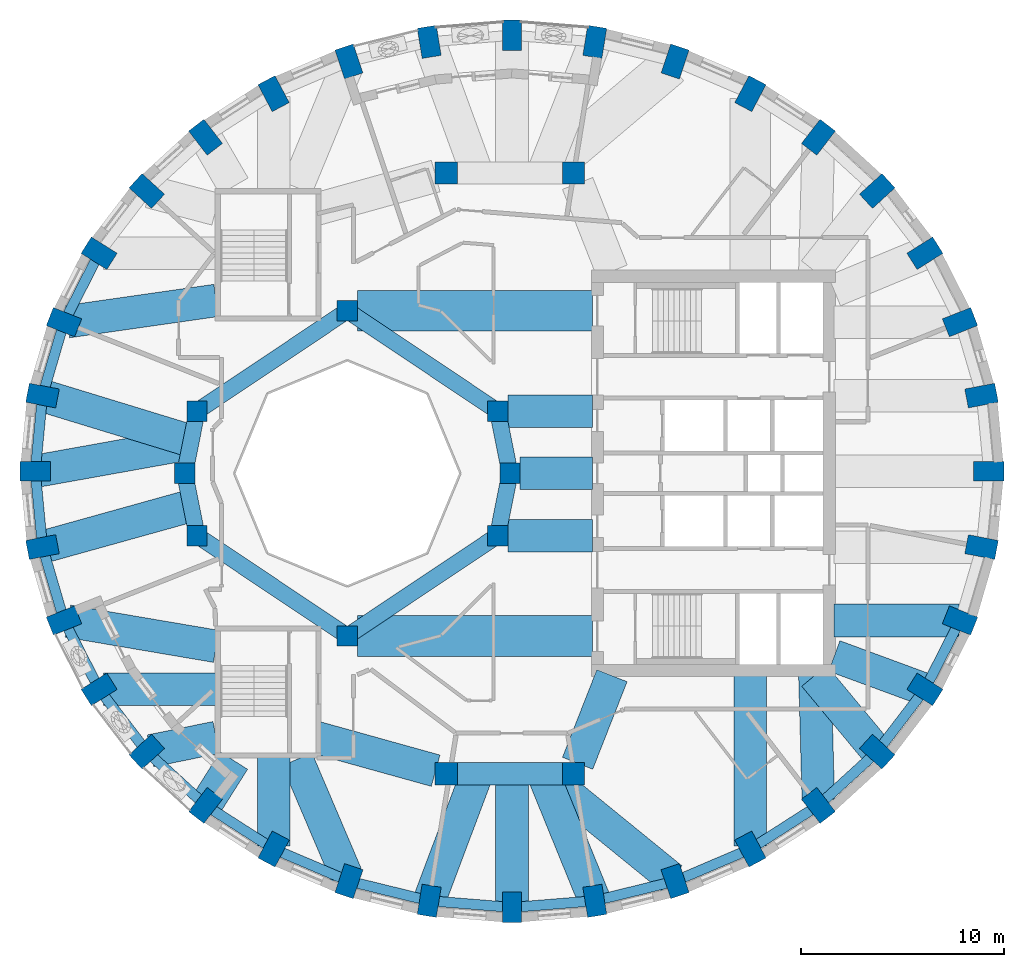
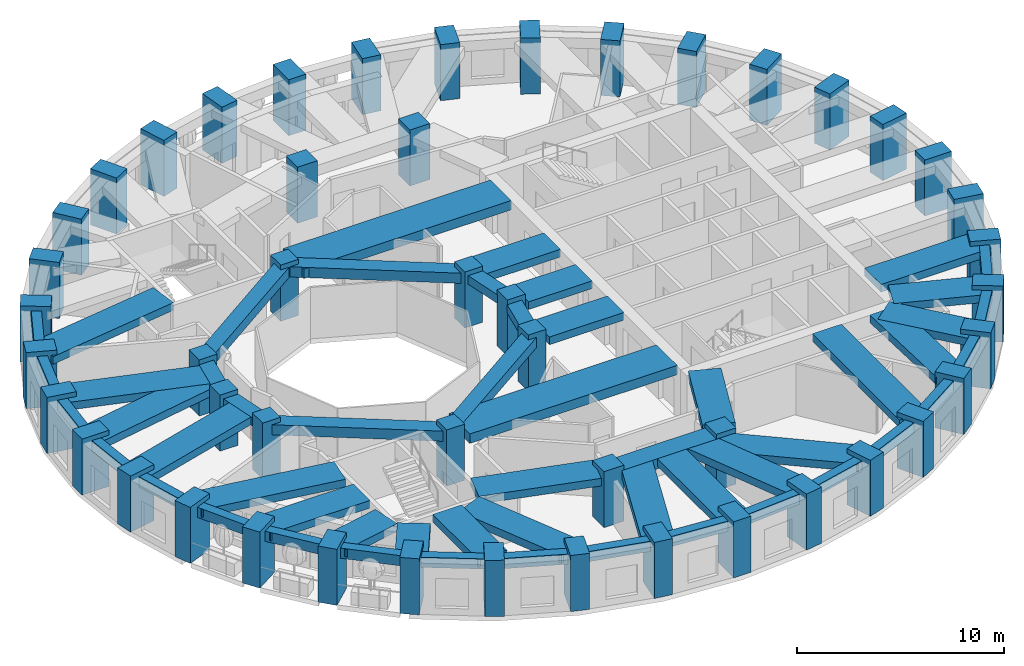
# One storey, part 1 of 11: 54 beams, 48 columns.
"""IFC4 building model written with IfcOpenShell, lengths in metres."""

from ifc_helpers import new_model, si_unit, direction, frame, origin, origin_2d, place, context, subcontext, project, spatial, rectangle, extrude, material, material_profile, profile_set, type_object, element, save


model = new_model("IFC4")

# Units and contexts
model_context = context("Model", 3, precision=1e-05, world=origin(), true_north=direction((0.0, 1.0)))
body_context = subcontext(model_context, "Body", "Model", "MODEL_VIEW")
ifc_project = project(units=[si_unit("LENGTHUNIT", "METRE"), si_unit("AREAUNIT", "SQUARE_METRE"), si_unit("VOLUMEUNIT", "CUBIC_METRE"), si_unit("PLANEANGLEUNIT", "RADIAN"), si_unit("MASSUNIT", "GRAM", prefix="KILO")], contexts=[model_context])

# Site, building, storey
site_placement = place(None, origin())
site = spatial("IfcSite", under=ifc_project, at=site_placement, CompositionType="ELEMENT")
building_placement = place(site_placement, origin())
building = spatial("IfcBuilding", under=site, at=building_placement, Name="Taillehof Tower", CompositionType="ELEMENT")
storey_placement = place(building_placement, frame((0.0, 0.0, 178.10009765625)))
storey = spatial("IfcBuildingStorey", under=building, at=storey_placement, Name="L50", CompositionType="ELEMENT", Elevation=178.10009765625)

# Columns
ifc_material_1 = material(Name="Concrete C50/60", Category="concrete")
ifc_material_profile_1 = material_profile(ifc_material_1, rectangle(XDim=1.0, YDim=1.0, at=origin_2d()), Name="RC 1000x1000")
ifc_profile_set_1 = profile_set([ifc_material_profile_1], Name="Concrete C50/60")
column_type_1 = type_object("IfcColumnType", Name="Atrium ring column C50/60 1000x1000", PredefinedType="COLUMN", material=ifc_profile_set_1)
for number, where, z_axis, x_axis, name in (
    (1, (0.0, 0.0, 0.0), (0.0, 0.0, 1.0), (1.0, 0.0, 0.0), "Column AC01"),
    (2, (-0.60888671875, 3.0615234375, 0.0), (0.0, 0.0, 1.0), (1.0, 0.0, 0.0), "Column AC02"),
    (3, (-8.0, 8.0, 0.0), (0.0, 0.0, 1.0), (1.0, 0.0, 0.0), "Column AC05"),
    (4, (-15.39111328125, 3.0615234375, 0.0), (0.0, 0.0, 1.0), (1.0, 0.0, 0.0), "Column AC08"),
    (5, (-16.0, 0.0, 0.0), (0.0, 0.0, 1.0), (1.0, 0.0, 0.0), "Column AC09"),
    (6, (-15.39111328125, -3.0615234375, 0.0), (0.0, 0.0, 1.0), (1.0, 0.0, 0.0), "Column AC10"),
    (7, (-8.0, -8.0, 0.0), (0.0, 0.0, 1.0), (1.0, 0.0, 0.0), "Column AC13"),
    (8, (-0.60888671875, -3.0615234375, 0.0), (0.0, 0.0, 1.0), (1.0, 0.0, 0.0), "Column AC16"),
):
    element("IfcColumn", number, at=place(storey_placement, frame(where, z_axis=z_axis, x_axis=x_axis)), inside=storey, type_object=column_type_1, Name=name, PredefinedType="COLUMN", context=body_context, shape_type="SweptSolid", body=[
        extrude(rectangle(XDim=1.0, YDim=1.0, at=origin_2d()), origin(), (0.0, 0.0, 1.0), 3.2998046875),
    ])
ifc_material_2 = material(Name="Concrete C50/60", Category="concrete")
ifc_material_profile_2 = material_profile(ifc_material_2, rectangle(XDim=1.10009765625, YDim=1.10009765625, at=origin_2d()), Name="RC 1100x1100")
ifc_profile_set_2 = profile_set([ifc_material_profile_2], Name="Concrete C50/60")
column_type_2 = type_object("IfcColumnType", Name="Mid-ring column C50/60 1100x1100", PredefinedType="COLUMN", material=ifc_profile_set_2)
for number, where, z_axis, x_axis, name in (
    (9, (3.125732421875, 14.772216796875, 0.0), (0.0, 0.0, 1.0), (1.0, 0.0, 0.0), "Column MC05"),
    (10, (-3.125732421875, 14.772216796875, 0.0), (0.0, 0.0, 1.0), (1.0, 0.0, 0.0), "Column MC06"),
    (11, (-3.125732421875, -14.772216796875, 0.0), (0.0, 0.0, 1.0), (1.0, 0.0, 0.0), "Column MC14"),
    (12, (3.125732421875, -14.772216796875, 0.0), (0.0, 0.0, 1.0), (1.0, 0.0, 0.0), "Column MC15"),
):
    element("IfcColumn", number, at=place(storey_placement, frame(where, z_axis=z_axis, x_axis=x_axis)), inside=storey, type_object=column_type_2, Name=name, PredefinedType="COLUMN", context=body_context, shape_type="SweptSolid", body=[
        extrude(rectangle(XDim=1.10009765625, YDim=1.10009765625, at=origin_2d()), origin(), (0.0, 0.0, 1.0), 3.2998046875),
    ])
ifc_material_3 = material(Name="Concrete C60/75", Category="concrete")
ifc_material_profile_3 = material_profile(ifc_material_3, rectangle(XDim=1.5, YDim=0.949951171875, at=origin_2d()), Name="RC 1500x950")
ifc_profile_set_3 = profile_set([ifc_material_profile_3], Name="Concrete C60/75")
column_type_3 = type_object("IfcColumnType", Name="Ring column C60/75 1500x950", PredefinedType="COLUMN", material=ifc_profile_set_3)
for number, where, z_axis, x_axis, name in (
    (13, (23.550048828125, 0.10009765625, 0.0), (0.0, 0.0, 1.0), (1.0, 0.0, 0.0), "Ring column RC01"),
    (14, (23.19384765625, 3.82470703125, 0.0), (0.0, 0.0, 1.0), (0.98202380309, 0.188757119508, 0.0), "Ring column RC02"),
    (15, (22.1357421875, 7.436279296875, 0.0), (0.0, 0.0, 1.0), (0.929511471762, 0.368793199317, 0.0), "Ring column RC03"),
    (16, (20.408203125, 10.824951171875, 0.0), (0.0, 0.0, 1.0), (0.846334224225, 0.532652213837, 0.0), "Ring column RC04"),
    (17, (18.063720703125, 13.8876953125, 0.0), (0.0, 0.0, 1.0), (0.7378786352, 0.674933418727, 0.0), "Ring column RC05"),
    (18, (15.17333984375, 16.53173828125, 0.0), (0.0, 0.0, 1.0), (0.609970500644, 0.792424121506, 0.0), "Ring column RC06"),
    (19, (11.824951171875, 18.67626953125, 0.0), (0.0, 0.0, 1.0), (0.468042101717, 0.883706167807, 0.0), "Ring column RC07"),
    (20, (8.120361328125, 20.25634765625, 0.0), (0.0, 0.0, 1.0), (0.316702950283, 0.948524771043, 0.0), "Ring column RC08"),
    (21, (4.172119140625, 21.22412109375, 0.0), (0.0, 0.0, 1.0), (0.159679090777, 0.987168976401, 0.0), "Ring column RC09"),
    (22, (0.10009765625, 21.550048828125, 0.0), (0.0, 0.0, 1.0), (0.0, 1.0, 0.0), "Ring column RC10"),
    (23, (-3.97216796875, 21.22412109375, 0.0), (0.0, 0.0, 1.0), (-0.159679090777, 0.987168976401, 0.0), "Ring column RC11"),
    (24, (-7.92041015625, 20.25634765625, 0.0), (0.0, 0.0, 1.0), (-0.316702950283, 0.948524771043, 0.0), "Ring column RC12"),
    (25, (-11.625, 18.67626953125, 0.0), (0.0, 0.0, 1.0), (-0.468042101717, 0.883706167807, 0.0), "Ring column RC13"),
    (26, (-14.973388671875, 16.53173828125, 0.0), (0.0, 0.0, 1.0), (-0.609970500644, 0.792424121506, 0.0), "Ring column RC14"),
    (27, (-17.86376953125, 13.8876953125, 0.0), (0.0, 0.0, 1.0), (-0.7378786352, 0.674933418727, 0.0), "Ring column RC15"),
    (28, (-20.208251953125, 10.824951171875, 0.0), (0.0, 0.0, 1.0), (-0.846334224225, 0.532652213837, 0.0), "Ring column RC16"),
    (29, (-21.935791015625, 7.436279296875, 0.0), (0.0, 0.0, 1.0), (-0.929511471762, 0.368793199317, 0.0), "Ring column RC17"),
    (30, (-22.99365234375, 3.82470703125, 0.0), (0.0, 0.0, 1.0), (-0.98202380309, 0.188757119508, 0.0), "Ring column RC18"),
    (31, (-23.35009765625, 0.10009765625, 0.0), (0.0, 0.0, 1.0), (-1.0, 0.0, 0.0), "Ring column RC19"),
    (32, (-22.99365234375, -3.624755859375, 0.0), (0.0, 0.0, 1.0), (-0.98202380309, -0.188757119508, 0.0), "Ring column RC20"),
    (33, (-21.935791015625, -7.236328125, 0.0), (0.0, 0.0, 1.0), (-0.929511471762, -0.368793199317, 0.0), "Ring column RC21"),
    (34, (-20.208251953125, -10.625, 0.0), (0.0, 0.0, 1.0), (-0.846334224225, -0.532652213837, 0.0), "Ring column RC22"),
    (35, (-17.86376953125, -13.687744140625, 0.0), (0.0, 0.0, 1.0), (-0.7378786352, -0.674933418727, 0.0), "Ring column RC23"),
    (36, (-14.973388671875, -16.33154296875, 0.0), (0.0, 0.0, 1.0), (-0.609970500644, -0.792424121506, 0.0), "Ring column RC24"),
    (37, (-11.625, -18.476318359375, 0.0), (0.0, 0.0, 1.0), (-0.468042101717, -0.883706167807, 0.0), "Ring column RC25"),
    (38, (-7.92041015625, -20.056396484375, 0.0), (0.0, 0.0, 1.0), (-0.316702950283, -0.948524771043, 0.0), "Ring column RC26"),
    (39, (-3.97216796875, -21.024169921875, 0.0), (0.0, 0.0, 1.0), (-0.159679090777, -0.987168976401, 0.0), "Ring column RC27"),
    (40, (0.10009765625, -21.35009765625, 0.0), (0.0, 0.0, 1.0), (0.0, -1.0, 0.0), "Ring column RC28"),
    (41, (4.172119140625, -21.024169921875, 0.0), (0.0, 0.0, 1.0), (0.159679090777, -0.987168976401, 0.0), "Ring column RC29"),
    (42, (8.120361328125, -20.056396484375, 0.0), (0.0, 0.0, 1.0), (0.316702950283, -0.948524771043, 0.0), "Ring column RC30"),
    (43, (11.824951171875, -18.476318359375, 0.0), (0.0, 0.0, 1.0), (0.468042101717, -0.883706167807, 0.0), "Ring column RC31"),
    (44, (15.17333984375, -16.33154296875, 0.0), (0.0, 0.0, 1.0), (0.609970500644, -0.792424121506, 0.0), "Ring column RC32"),
    (45, (18.063720703125, -13.687744140625, 0.0), (0.0, 0.0, 1.0), (0.7378786352, -0.674933418727, 0.0), "Ring column RC33"),
    (46, (20.408203125, -10.625, 0.0), (0.0, 0.0, 1.0), (0.846334224225, -0.532652213837, 0.0), "Ring column RC34"),
    (47, (22.1357421875, -7.236328125, 0.0), (0.0, 0.0, 1.0), (0.929511471762, -0.368793199317, 0.0), "Ring column RC35"),
    (48, (23.19384765625, -3.624755859375, 0.0), (0.0, 0.0, 1.0), (0.98202380309, -0.188757119508, 0.0), "Ring column RC36"),
):
    element("IfcColumn", number, at=place(storey_placement, frame(where, z_axis=z_axis, x_axis=x_axis)), inside=storey, type_object=column_type_3, Name=name, PredefinedType="COLUMN", context=body_context, shape_type="SweptSolid", body=[
        extrude(rectangle(XDim=1.5, YDim=0.949951171875, at=origin_2d()), origin(), (0.0, 0.0, 1.0), 3.2998046875),
    ])

# Beams
ifc_material_4 = material(Name="Concrete C50/60", Category="concrete")
ifc_material_profile_4 = material_profile(ifc_material_4, rectangle(XDim=0.800048828125, YDim=0.5, at=origin_2d()), Name="RC 800x500")
ifc_profile_set_4 = profile_set([ifc_material_profile_4], Name="Concrete C50/60")
beam_type_1 = type_object("IfcBeamType", Name="Atrium ring beam C50/60 800x500", PredefinedType="BEAM", material=ifc_profile_set_4)
for number, where, z_axis, x_axis, name in (
    (49, (0.0, 0.0, 2.77001953125), (-0.195063155143, 0.980790683839, 0.0), (-0.980790683839, -0.195063155143, 0.0), "Atrium ring beam AB01"),
    (50, (-15.39111328125, 3.0615234375, 2.77001953125), (-0.195063155143, -0.980790683839, 0.0), (0.980790683839, -0.195063155143, 0.0), "Atrium ring beam AB04"),
    (51, (-16.0, 0.0, 2.77001953125), (0.195063155143, -0.980790683839, 0.0), (0.980790683839, 0.195063155143, 0.0), "Atrium ring beam AB05"),
    (52, (-0.60888671875, -3.0615234375, 2.77001953125), (0.195063155143, 0.980790683839, 0.0), (-0.980790683839, 0.195063155143, 0.0), "Atrium ring beam AB08"),
):
    element("IfcBeam", number, at=place(storey_placement, frame(where, z_axis=z_axis, x_axis=x_axis)), inside=storey, type_object=beam_type_1, Name=name, PredefinedType="BEAM", context=body_context, shape_type="SweptSolid", body=[
        extrude(rectangle(XDim=0.800048828125, YDim=0.5, at=origin_2d()), origin(), (0.0, 0.0, 1.0), 3.12158203125),
    ])
ifc_material_5 = material(Name="Concrete C50/60", Category="concrete")
ifc_material_profile_5 = material_profile(ifc_material_5, rectangle(XDim=0.800048828125, YDim=0.60009765625, at=origin_2d()), Name="RC 800x600")
ifc_profile_set_5 = profile_set([ifc_material_profile_5], Name="Concrete C50/60")
beam_type_2 = type_object("IfcBeamType", Name="Atrium ring beam C50/60 800x600", PredefinedType="BEAM", material=ifc_profile_set_5)
for number, where, z_axis, x_axis, name in (
    (53, (-0.60888671875, 3.0615234375, 2.719970703125), (-0.831475195687, 0.555561876804, 0.0), (-0.555561876804, -0.831475195687, 0.0), "Atrium ring beam AB02"),
    (54, (-8.0, 8.0, 2.719970703125), (-0.831475195687, -0.555561876804, 0.0), (0.555561876804, -0.831475195687, 0.0), "Atrium ring beam AB03"),
    (55, (-15.39111328125, -3.0615234375, 2.719970703125), (0.831475195687, -0.555561876804, 0.0), (0.555561876804, 0.831475195687, 0.0), "Atrium ring beam AB06"),
    (56, (-8.0, -8.0, 2.719970703125), (0.831475195687, 0.555561876804, 0.0), (-0.555561876804, 0.831475195687, 0.0), "Atrium ring beam AB07"),
):
    element("IfcBeam", number, at=place(storey_placement, frame(where, z_axis=z_axis, x_axis=x_axis)), inside=storey, type_object=beam_type_2, Name=name, PredefinedType="BEAM", context=body_context, shape_type="SweptSolid", body=[
        extrude(rectangle(XDim=0.800048828125, YDim=0.60009765625, at=origin_2d()), origin(), (0.0, 0.0, 1.0), 8.88916015625),
    ])
ifc_material_6 = material(Name="Concrete C50/60", Category="concrete")
ifc_material_profile_6 = material_profile(ifc_material_6, rectangle(XDim=1.10009765625, YDim=0.60009765625, at=origin_2d()), Name="RC 1100x600")
ifc_profile_set_6 = profile_set([ifc_material_profile_6], Name="Concrete C50/60")
beam_type_3 = type_object("IfcBeamType", Name="Mid-ring beam C50/60 1100x600", PredefinedType="BEAM", material=ifc_profile_set_6)
beam_1_placement = place(storey_placement, frame((-3.125732421875, -14.772216796875, 2.719970703125), z_axis=(1.0, 0.0, 0.0), x_axis=(0.0, 1.0, 0.0)))
element("IfcBeam", 57, at=beam_1_placement, inside=storey, type_object=beam_type_3, Name="Mid-ring beam MB02", PredefinedType="BEAM", context=body_context, shape_type="SweptSolid", body=[
    extrude(rectangle(XDim=1.10009765625, YDim=0.60009765625, at=origin_2d()), origin(), (0.0, 0.0, 1.0), 6.25146484375),
])
ifc_material_7 = material(Name="Concrete C50/60", Category="concrete")
ifc_material_profile_7 = material_profile(ifc_material_7, rectangle(XDim=1.60009765625, YDim=0.449951171875, at=origin_2d()), Name="RC 1600x450")
ifc_profile_set_7 = profile_set([ifc_material_profile_7], Name="Concrete C50/60")
beam_type_4 = type_object("IfcBeamType", Name="Radial band beam C50/60 1600x450", PredefinedType="BEAM", material=ifc_profile_set_7)
beam_2_placement = place(storey_placement, frame((-21.766845703125, 7.46044921875, 2.794921875), z_axis=(0.989922388732, 0.141610961042, 0.0), x_axis=(-0.141610961042, 0.989922388732, 0.0)))
element("IfcBeam", 58, at=beam_2_placement, inside=storey, type_object=beam_type_4, Name="Radial band beam RB17", PredefinedType="BEAM", context=body_context, shape_type="SweptSolid", body=[
    extrude(rectangle(XDim=1.60009765625, YDim=0.449951171875, at=origin_2d()), origin(), (0.0, 0.0, 1.0), 7.390869140625),
])
beam_3_placement = place(storey_placement, frame((-22.99365234375, 3.82470703125, 2.794921875), z_axis=(0.956324293447, -0.292307792854, 0.0), x_axis=(0.292307792854, 0.956324293447, 0.0)))
element("IfcBeam", 59, at=beam_3_placement, inside=storey, type_object=beam_type_4, Name="Radial band beam RB18", PredefinedType="BEAM", context=body_context, shape_type="SweptSolid", body=[
    extrude(rectangle(XDim=1.60009765625, YDim=0.449951171875, at=origin_2d()), origin(), (0.0, 0.0, 1.0), 7.643798828125),
])
beam_4_placement = place(storey_placement, frame((-23.35009765625, 0.10009765625, 2.794921875), z_axis=(0.984286763882, 0.176577366745, 0.0), x_axis=(-0.176577366745, 0.984286763882, 0.0)))
element("IfcBeam", 60, at=beam_4_placement, inside=storey, type_object=beam_type_4, Name="Radial band beam RB19", PredefinedType="BEAM", context=body_context, shape_type="SweptSolid", body=[
    extrude(rectangle(XDim=1.60009765625, YDim=0.449951171875, at=origin_2d()), origin(), (0.0, 0.0, 1.0), 7.764892578125),
])
beam_5_placement = place(storey_placement, frame((-22.99365234375, -3.624755859375, 2.794921875), z_axis=(0.96338688135, 0.268115118639, 0.0), x_axis=(-0.268115118639, 0.96338688135, 0.0)))
element("IfcBeam", 61, at=beam_5_placement, inside=storey, type_object=beam_type_4, Name="Radial band beam RB20", PredefinedType="BEAM", context=body_context, shape_type="SweptSolid", body=[
    extrude(rectangle(XDim=1.60009765625, YDim=0.449951171875, at=origin_2d()), origin(), (0.0, 0.0, 1.0), 7.587890625),
])
beam_6_placement = place(storey_placement, frame((-21.744140625, -7.268798828125, 2.794921875), z_axis=(0.985864460395, -0.167544817079, 0.0), x_axis=(0.167544817079, 0.985864460395, 0.0)))
element("IfcBeam", 62, at=beam_6_placement, inside=storey, type_object=beam_type_4, Name="Radial band beam RB21", PredefinedType="BEAM", context=body_context, shape_type="SweptSolid", body=[
    extrude(rectangle(XDim=1.60009765625, YDim=0.449951171875, at=origin_2d()), origin(), (0.0, 0.0, 1.0), 7.39794921875),
])
beam_7_placement = place(storey_placement, frame((-19.9990234375, -10.625, 2.794921875), z_axis=(1.0, 0.0, 0.0), x_axis=(0.0, 1.0, 0.0)))
element("IfcBeam", 63, at=beam_7_placement, inside=storey, type_object=beam_type_4, Name="Radial band beam RB22", PredefinedType="BEAM", context=body_context, shape_type="SweptSolid", body=[
    extrude(rectangle(XDim=1.60009765625, YDim=0.449951171875, at=origin_2d()), origin(), (0.0, 0.0, 1.0), 5.549072265625),
])
beam_8_placement = place(storey_placement, frame((-17.678955078125, -13.64990234375, 2.794921875), z_axis=(0.979736748385, 0.200289550059, 0.0), x_axis=(-0.200289550059, 0.979736748385, 0.0)))
element("IfcBeam", 64, at=beam_8_placement, inside=storey, type_object=beam_type_4, Name="Radial band beam RB23", PredefinedType="BEAM", context=body_context, shape_type="SweptSolid", body=[
    extrude(rectangle(XDim=1.60009765625, YDim=0.449951171875, at=origin_2d()), origin(), (0.0, 0.0, 1.0), 3.294677734375),
])
beam_9_placement = place(storey_placement, frame((-14.973388671875, -16.33154296875, 2.794921875), z_axis=(0.534207803896, 0.845353193794, 0.0), x_axis=(-0.845353193794, 0.534207803896, 0.0)))
element("IfcBeam", 65, at=beam_9_placement, inside=storey, type_object=beam_type_4, Name="Radial band beam RB24", PredefinedType="BEAM", context=body_context, shape_type="SweptSolid", body=[
    extrude(rectangle(XDim=1.60009765625, YDim=0.449951171875, at=origin_2d()), origin(), (0.0, 0.0, 1.0), 2.608154296875),
])
beam_10_placement = place(storey_placement, frame((-11.625, -18.33642578125, 2.794921875), z_axis=(0.0, 1.0, 0.0), x_axis=(-1.0, 0.0, 0.0)))
element("IfcBeam", 66, at=beam_10_placement, inside=storey, type_object=beam_type_4, Name="Radial band beam RB25", PredefinedType="BEAM", context=body_context, shape_type="SweptSolid", body=[
    extrude(rectangle(XDim=1.60009765625, YDim=0.449951171875, at=origin_2d()), origin(), (0.0, 0.0, 1.0), 4.386474609375),
])
beam_11_placement = place(storey_placement, frame((-8.049072265625, -19.75390625, 2.794921875), z_axis=(-0.391879389257, 0.9200166, 0.0), x_axis=(-0.9200166, -0.391879389257, 0.0)))
element("IfcBeam", 67, at=beam_11_placement, inside=storey, type_object=beam_type_4, Name="Radial band beam RB26", PredefinedType="BEAM", context=body_context, shape_type="SweptSolid", body=[
    extrude(rectangle(XDim=1.60009765625, YDim=0.449951171875, at=origin_2d()), origin(), (0.0, 0.0, 1.0), 6.18505859375),
])
beam_12_placement = place(storey_placement, frame((-3.97216796875, -21.024169921875, 2.794921875), z_axis=(0.351379850477, 0.936232984186, 0.0), x_axis=(-0.936232984186, 0.351379850477, 0.0)))
element("IfcBeam", 68, at=beam_12_placement, inside=storey, type_object=beam_type_4, Name="Radial band beam RB27", PredefinedType="BEAM", context=body_context, shape_type="SweptSolid", body=[
    extrude(rectangle(XDim=1.60009765625, YDim=0.449951171875, at=origin_2d()), origin(), (0.0, 0.0, 1.0), 6.677734375),
])
beam_13_placement = place(storey_placement, frame((0.10009765625, -21.35009765625, 2.794921875), z_axis=(0.0, 1.0, 0.0), x_axis=(-1.0, 0.0, 0.0)))
element("IfcBeam", 69, at=beam_13_placement, inside=storey, type_object=beam_type_4, Name="Radial band beam RB28", PredefinedType="BEAM", context=body_context, shape_type="SweptSolid", body=[
    extrude(rectangle(XDim=1.60009765625, YDim=0.449951171875, at=origin_2d()), origin(), (0.0, 0.0, 1.0), 6.577880859375),
])
beam_14_placement = place(storey_placement, frame((4.172119140625, -21.024169921875, 2.794921875), z_axis=(-0.377207279938, 0.926128861424, 0.0), x_axis=(-0.926128861424, -0.377207279938, 0.0)))
element("IfcBeam", 70, at=beam_14_placement, inside=storey, type_object=beam_type_4, Name="Radial band beam RB29", PredefinedType="BEAM", context=body_context, shape_type="SweptSolid", body=[
    extrude(rectangle(XDim=1.60009765625, YDim=0.449951171875, at=origin_2d()), origin(), (0.0, 0.0, 1.0), 6.750732421875),
])
beam_15_placement = place(storey_placement, frame((7.95556640625, -19.92236328125, 2.794921875), z_axis=(-0.775687012842, 0.631117784655, 0.0), x_axis=(-0.631117784655, -0.775687012842, 0.0)))
element("IfcBeam", 71, at=beam_15_placement, inside=storey, type_object=beam_type_4, Name="Radial band beam RB30", PredefinedType="BEAM", context=body_context, shape_type="SweptSolid", body=[
    extrude(rectangle(XDim=1.60009765625, YDim=0.449951171875, at=origin_2d()), origin(), (0.0, 0.0, 1.0), 8.048583984375),
])
beam_16_placement = place(storey_placement, frame((11.824951171875, -18.33642578125, 2.794921875), z_axis=(0.0, 1.0, 0.0), x_axis=(-1.0, 0.0, 0.0)))
element("IfcBeam", 72, at=beam_16_placement, inside=storey, type_object=beam_type_4, Name="Radial band beam RB31", PredefinedType="BEAM", context=body_context, shape_type="SweptSolid", body=[
    extrude(rectangle(XDim=1.60009765625, YDim=0.449951171875, at=origin_2d()), origin(), (0.0, 0.0, 1.0), 8.386474609375),
])
beam_17_placement = place(storey_placement, frame((15.166015625, -16.060546875, 2.794921875), z_axis=(-0.027397917621, 0.999624606595, 0.0), x_axis=(-0.999624606595, -0.027397917621, 0.0)))
element("IfcBeam", 73, at=beam_17_placement, inside=storey, type_object=beam_type_4, Name="Radial band beam RB32", PredefinedType="BEAM", context=body_context, shape_type="SweptSolid", body=[
    extrude(rectangle(XDim=1.60009765625, YDim=0.449951171875, at=origin_2d()), origin(), (0.0, 0.0, 1.0), 6.11279296875),
])
beam_18_placement = place(storey_placement, frame((18.063720703125, -13.687744140625, 2.794921875), z_axis=(-0.639018777093, 0.769191135234, 0.0), x_axis=(-0.769191135234, -0.639018777093, 0.0)))
element("IfcBeam", 74, at=beam_18_placement, inside=storey, type_object=beam_type_4, Name="Radial band beam RB33", PredefinedType="BEAM", context=body_context, shape_type="SweptSolid", body=[
    extrude(rectangle(XDim=1.60009765625, YDim=0.449951171875, at=origin_2d()), origin(), (0.0, 0.0, 1.0), 4.844482421875),
])
beam_19_placement = place(storey_placement, frame((20.408203125, -10.625, 2.794921875), z_axis=(-0.938275503033, 0.345888826661, 0.0), x_axis=(-0.345888826661, -0.938275503033, 0.0)))
element("IfcBeam", 75, at=beam_19_placement, inside=storey, type_object=beam_type_4, Name="Radial band beam RB34", PredefinedType="BEAM", context=body_context, shape_type="SweptSolid", body=[
    extrude(rectangle(XDim=1.60009765625, YDim=0.449951171875, at=origin_2d()), origin(), (0.0, 0.0, 1.0), 4.748046875),
])
beam_20_placement = place(storey_placement, frame((22.08642578125, -7.236328125, 2.794921875), z_axis=(-1.0, 0.0, 0.0), x_axis=(0.0, -1.0, 0.0)))
element("IfcBeam", 76, at=beam_20_placement, inside=storey, type_object=beam_type_4, Name="Radial band beam RB35", PredefinedType="BEAM", context=body_context, shape_type="SweptSolid", body=[
    extrude(rectangle(XDim=1.60009765625, YDim=0.449951171875, at=origin_2d()), origin(), (0.0, 0.0, 1.0), 6.136474609375),
])
beam_21_placement = place(storey_placement, frame((0.5, 0.0, 2.794921875), z_axis=(1.0, 0.0, 0.0), x_axis=(0.0, 1.0, 0.0)))
element("IfcBeam", 77, at=beam_21_placement, inside=storey, type_object=beam_type_4, Name="Inner band beam IB101", PredefinedType="BEAM", context=body_context, shape_type="SweptSolid", body=[
    extrude(rectangle(XDim=1.60009765625, YDim=0.449951171875, at=origin_2d()), origin(), (0.0, 0.0, 1.0), 3.550048828125),
])
for number, where, z_axis, x_axis, name in (
    (78, (-0.10888671875, 3.0615234375, 2.794921875), (1.0, 0.0, 0.0), (0.0, 1.0, 0.0), "Inner band beam IB102"),
    (79, (-0.10888671875, -3.0615234375, 2.794921875), (1.0, 0.0, 0.0), (0.0, 1.0, 0.0), "Inner band beam IB116"),
):
    element("IfcBeam", number, at=place(storey_placement, frame(where, z_axis=z_axis, x_axis=x_axis)), inside=storey, type_object=beam_type_4, Name=name, PredefinedType="BEAM", context=body_context, shape_type="SweptSolid", body=[
        extrude(rectangle(XDim=1.60009765625, YDim=0.449951171875, at=origin_2d()), origin(), (0.0, 0.0, 1.0), 4.158935546875),
    ])
beam_22_placement = place(storey_placement, frame((-3.655517578125, -14.624755859375, 2.794921875), z_axis=(-0.963459369536, 0.267854518821, 0.0), x_axis=(-0.267854518821, -0.963459369536, 0.0)))
element("IfcBeam", 80, at=beam_22_placement, inside=storey, type_object=beam_type_4, Name="Inner band beam IB214", PredefinedType="BEAM", context=body_context, shape_type="SweptSolid", body=[
    extrude(rectangle(XDim=1.60009765625, YDim=0.449951171875, at=origin_2d()), origin(), (0.0, 0.0, 1.0), 6.096923828125),
])
beam_23_placement = place(storey_placement, frame((3.32666015625, -14.26025390625, 2.794921875), z_axis=(0.365588707223, 0.930776502255, 0.0), x_axis=(-0.930776502255, 0.365588707223, 0.0)))
element("IfcBeam", 81, at=beam_23_placement, inside=storey, type_object=beam_type_4, Name="Inner band beam IB215", PredefinedType="BEAM", context=body_context, shape_type="SweptSolid", body=[
    extrude(rectangle(XDim=1.60009765625, YDim=0.449951171875, at=origin_2d()), origin(), (0.0, 0.0, 1.0), 4.627197265625),
])
ifc_material_8 = material(Name="Concrete C50/60", Category="concrete")
ifc_material_profile_8 = material_profile(ifc_material_8, rectangle(XDim=2.0, YDim=0.550048828125, at=origin_2d()), Name="RC 2000x550")
ifc_profile_set_8 = profile_set([ifc_material_profile_8], Name="Concrete C50/60")
beam_type_5 = type_object("IfcBeamType", Name="Radial band beam C50/60 2000x550", PredefinedType="BEAM", material=ifc_profile_set_8)
for number, where, z_axis, x_axis, name in (
    (82, (-7.5, 8.0, 2.744873046875), (1.0, 0.0, 0.0), (0.0, 1.0, 0.0), "Inner band beam IB105"),
    (83, (-7.5, -8.0, 2.744873046875), (1.0, 0.0, 0.0), (0.0, 1.0, 0.0), "Inner band beam IB113"),
):
    element("IfcBeam", number, at=place(storey_placement, frame(where, z_axis=z_axis, x_axis=x_axis)), inside=storey, type_object=beam_type_5, Name=name, PredefinedType="BEAM", context=body_context, shape_type="SweptSolid", body=[
        extrude(rectangle(XDim=2.0, YDim=0.550048828125, at=origin_2d()), origin(), (0.0, 0.0, 1.0), 11.550048828125),
    ])
ifc_material_9 = material(Name="Concrete C50/60", Category="concrete")
ifc_material_profile_9 = material_profile(ifc_material_9, rectangle(XDim=0.5, YDim=0.60009765625, at=origin_2d()), Name="RC 500x600")
ifc_profile_set_9 = profile_set([ifc_material_profile_9], Name="Concrete C50/60")
beam_type_6 = type_object("IfcBeamType", Name="Spandrel beam C50/60 500x600", PredefinedType="SPANDREL", material=ifc_profile_set_9)
beam_24_placement = place(storey_placement, frame((-20.208251953125, 10.824951171875, 2.719970703125), z_axis=(-0.454183451696, -0.890908183937, 0.0), x_axis=(0.890908183937, -0.454183451696, 0.0)))
element("IfcBeam", 84, at=beam_24_placement, inside=storey, type_object=beam_type_6, Name="Spandrel beam SB16", PredefinedType="SPANDREL", context=body_context, shape_type="SweptSolid", body=[
    extrude(rectangle(XDim=0.5, YDim=0.60009765625, at=origin_2d()), origin(), (0.0, 0.0, 1.0), 3.8037109375),
])
beam_25_placement = place(storey_placement, frame((-21.935791015625, 7.436279296875, 2.719970703125), z_axis=(-0.281098416478, -0.959678946447, 0.0), x_axis=(0.959678946447, -0.281098416478, 0.0)))
element("IfcBeam", 85, at=beam_25_placement, inside=storey, type_object=beam_type_6, Name="Spandrel beam SB17", PredefinedType="SPANDREL", context=body_context, shape_type="SweptSolid", body=[
    extrude(rectangle(XDim=0.5, YDim=0.60009765625, at=origin_2d()), origin(), (0.0, 0.0, 1.0), 3.763427734375),
])
beam_26_placement = place(storey_placement, frame((-22.99365234375, 3.82470703125, 2.719970703125), z_axis=(-0.095264805358, -0.995451966124, 0.0), x_axis=(0.995451966124, -0.095264805358, 0.0)))
element("IfcBeam", 86, at=beam_26_placement, inside=storey, type_object=beam_type_6, Name="Spandrel beam SB18", PredefinedType="SPANDREL", context=body_context, shape_type="SweptSolid", body=[
    extrude(rectangle(XDim=0.5, YDim=0.60009765625, at=origin_2d()), origin(), (0.0, 0.0, 1.0), 3.74169921875),
])
beam_27_placement = place(storey_placement, frame((-23.35009765625, 0.10009765625, 2.719970703125), z_axis=(0.095258618013, -0.995452558234, 0.0), x_axis=(0.995452558234, 0.095258618013, 0.0)))
element("IfcBeam", 87, at=beam_27_placement, inside=storey, type_object=beam_type_6, Name="Spandrel beam SB19", PredefinedType="SPANDREL", context=body_context, shape_type="SweptSolid", body=[
    extrude(rectangle(XDim=0.5, YDim=0.60009765625, at=origin_2d()), origin(), (0.0, 0.0, 1.0), 3.741943359375),
])
beam_28_placement = place(storey_placement, frame((-22.99365234375, -3.624755859375, 2.719970703125), z_axis=(0.281098416478, -0.959678946447, 0.0), x_axis=(0.959678946447, 0.281098416478, 0.0)))
element("IfcBeam", 88, at=beam_28_placement, inside=storey, type_object=beam_type_6, Name="Spandrel beam SB20", PredefinedType="SPANDREL", context=body_context, shape_type="SweptSolid", body=[
    extrude(rectangle(XDim=0.5, YDim=0.60009765625, at=origin_2d()), origin(), (0.0, 0.0, 1.0), 3.763427734375),
])
beam_29_placement = place(storey_placement, frame((-21.935791015625, -7.236328125, 2.719970703125), z_axis=(0.454183451696, -0.890908183937, 0.0), x_axis=(0.890908183937, 0.454183451696, 0.0)))
element("IfcBeam", 89, at=beam_29_placement, inside=storey, type_object=beam_type_6, Name="Spandrel beam SB21", PredefinedType="SPANDREL", context=body_context, shape_type="SweptSolid", body=[
    extrude(rectangle(XDim=0.5, YDim=0.60009765625, at=origin_2d()), origin(), (0.0, 0.0, 1.0), 3.8037109375),
])
beam_30_placement = place(storey_placement, frame((-20.208251953125, -10.625, 2.719970703125), z_axis=(0.60784004271, -0.794059495553, 0.0), x_axis=(0.794059495553, 0.60784004271, 0.0)))
element("IfcBeam", 90, at=beam_30_placement, inside=storey, type_object=beam_type_6, Name="Spandrel beam SB22", PredefinedType="SPANDREL", context=body_context, shape_type="SweptSolid", body=[
    extrude(rectangle(XDim=0.5, YDim=0.60009765625, at=origin_2d()), origin(), (0.0, 0.0, 1.0), 3.857177734375),
])
beam_31_placement = place(storey_placement, frame((-17.86376953125, -13.687744140625, 2.719970703125), z_axis=(0.737880696592, -0.674931165081, 0.0), x_axis=(0.674931165081, 0.737880696592, 0.0)))
element("IfcBeam", 91, at=beam_31_placement, inside=storey, type_object=beam_type_6, Name="Spandrel beam SB23", PredefinedType="SPANDREL", context=body_context, shape_type="SweptSolid", body=[
    extrude(rectangle(XDim=0.5, YDim=0.60009765625, at=origin_2d()), origin(), (0.0, 0.0, 1.0), 3.917236328125),
])
beam_32_placement = place(storey_placement, frame((-14.973388671875, -16.33154296875, 2.719970703125), z_axis=(0.842065054946, -0.539375975771, 0.0), x_axis=(0.539375975771, 0.842065054946, 0.0)))
element("IfcBeam", 92, at=beam_32_placement, inside=storey, type_object=beam_type_6, Name="Spandrel beam SB24", PredefinedType="SPANDREL", context=body_context, shape_type="SweptSolid", body=[
    extrude(rectangle(XDim=0.5, YDim=0.60009765625, at=origin_2d()), origin(), (0.0, 0.0, 1.0), 3.976318359375),
])
beam_33_placement = place(storey_placement, frame((-11.625, -18.476318359375, 2.719970703125), z_axis=(0.919827173659, -0.392323808351, 0.0), x_axis=(0.392323808351, 0.919827173659, 0.0)))
element("IfcBeam", 93, at=beam_33_placement, inside=storey, type_object=beam_type_6, Name="Spandrel beam SB25", PredefinedType="SPANDREL", context=body_context, shape_type="SweptSolid", body=[
    extrude(rectangle(XDim=0.5, YDim=0.60009765625, at=origin_2d()), origin(), (0.0, 0.0, 1.0), 4.027587890625),
])
beam_34_placement = place(storey_placement, frame((-7.92041015625, -20.056396484375, 2.719970703125), z_axis=(0.971248584585, -0.238067610023, 0.0), x_axis=(0.238067610023, 0.971248584585, 0.0)))
element("IfcBeam", 94, at=beam_34_placement, inside=storey, type_object=beam_type_6, Name="Spandrel beam SB26", PredefinedType="SPANDREL", context=body_context, shape_type="SweptSolid", body=[
    extrude(rectangle(XDim=0.5, YDim=0.60009765625, at=origin_2d()), origin(), (0.0, 0.0, 1.0), 4.065185546875),
])
beam_35_placement = place(storey_placement, frame((-3.97216796875, -21.024169921875, 2.719970703125), z_axis=(0.996812427616, -0.079780850771, 0.0), x_axis=(0.079780850771, 0.996812427616, 0.0)))
element("IfcBeam", 95, at=beam_35_placement, inside=storey, type_object=beam_type_6, Name="Spandrel beam SB27", PredefinedType="SPANDREL", context=body_context, shape_type="SweptSolid", body=[
    extrude(rectangle(XDim=0.5, YDim=0.60009765625, at=origin_2d()), origin(), (0.0, 0.0, 1.0), 4.085205078125),
])
beam_36_placement = place(storey_placement, frame((0.10009765625, -21.35009765625, 2.719970703125), z_axis=(0.996812047205, 0.079785603634, 0.0), x_axis=(-0.079785603634, 0.996812047205, 0.0)))
element("IfcBeam", 96, at=beam_36_placement, inside=storey, type_object=beam_type_6, Name="Spandrel beam SB28", PredefinedType="SPANDREL", context=body_context, shape_type="SweptSolid", body=[
    extrude(rectangle(XDim=0.5, YDim=0.60009765625, at=origin_2d()), origin(), (0.0, 0.0, 1.0), 4.0849609375),
])
beam_37_placement = place(storey_placement, frame((4.172119140625, -21.024169921875, 2.719970703125), z_axis=(0.971248584585, 0.238067610023, 0.0), x_axis=(-0.238067610023, 0.971248584585, 0.0)))
element("IfcBeam", 97, at=beam_37_placement, inside=storey, type_object=beam_type_6, Name="Spandrel beam SB29", PredefinedType="SPANDREL", context=body_context, shape_type="SweptSolid", body=[
    extrude(rectangle(XDim=0.5, YDim=0.60009765625, at=origin_2d()), origin(), (0.0, 0.0, 1.0), 4.065185546875),
])
beam_38_placement = place(storey_placement, frame((8.120361328125, -20.056396484375, 2.719970703125), z_axis=(0.919827173659, 0.392323808351, 0.0), x_axis=(-0.392323808351, 0.919827173659, 0.0)))
element("IfcBeam", 98, at=beam_38_placement, inside=storey, type_object=beam_type_6, Name="Spandrel beam SB30", PredefinedType="SPANDREL", context=body_context, shape_type="SweptSolid", body=[
    extrude(rectangle(XDim=0.5, YDim=0.60009765625, at=origin_2d()), origin(), (0.0, 0.0, 1.0), 4.027587890625),
])
beam_39_placement = place(storey_placement, frame((11.824951171875, -18.476318359375, 2.719970703125), z_axis=(0.842065054946, 0.539375975771, 0.0), x_axis=(-0.539375975771, 0.842065054946, 0.0)))
element("IfcBeam", 99, at=beam_39_placement, inside=storey, type_object=beam_type_6, Name="Spandrel beam SB31", PredefinedType="SPANDREL", context=body_context, shape_type="SweptSolid", body=[
    extrude(rectangle(XDim=0.5, YDim=0.60009765625, at=origin_2d()), origin(), (0.0, 0.0, 1.0), 3.976318359375),
])
beam_40_placement = place(storey_placement, frame((15.17333984375, -16.33154296875, 2.719970703125), z_axis=(0.737880696592, 0.674931165081, 0.0), x_axis=(-0.674931165081, 0.737880696592, 0.0)))
element("IfcBeam", 100, at=beam_40_placement, inside=storey, type_object=beam_type_6, Name="Spandrel beam SB32", PredefinedType="SPANDREL", context=body_context, shape_type="SweptSolid", body=[
    extrude(rectangle(XDim=0.5, YDim=0.60009765625, at=origin_2d()), origin(), (0.0, 0.0, 1.0), 3.917236328125),
])
beam_41_placement = place(storey_placement, frame((18.063720703125, -13.687744140625, 2.719970703125), z_axis=(0.60784004271, 0.794059495553, 0.0), x_axis=(-0.794059495553, 0.60784004271, 0.0)))
element("IfcBeam", 101, at=beam_41_placement, inside=storey, type_object=beam_type_6, Name="Spandrel beam SB33", PredefinedType="SPANDREL", context=body_context, shape_type="SweptSolid", body=[
    extrude(rectangle(XDim=0.5, YDim=0.60009765625, at=origin_2d()), origin(), (0.0, 0.0, 1.0), 3.857177734375),
])
beam_42_placement = place(storey_placement, frame((20.408203125, -10.625, 2.719970703125), z_axis=(0.454183451696, 0.890908183937, 0.0), x_axis=(-0.890908183937, 0.454183451696, 0.0)))
element("IfcBeam", 102, at=beam_42_placement, inside=storey, type_object=beam_type_6, Name="Spandrel beam SB34", PredefinedType="SPANDREL", context=body_context, shape_type="SweptSolid", body=[
    extrude(rectangle(XDim=0.5, YDim=0.60009765625, at=origin_2d()), origin(), (0.0, 0.0, 1.0), 3.8037109375),
])

save(model, "model.ifc")
